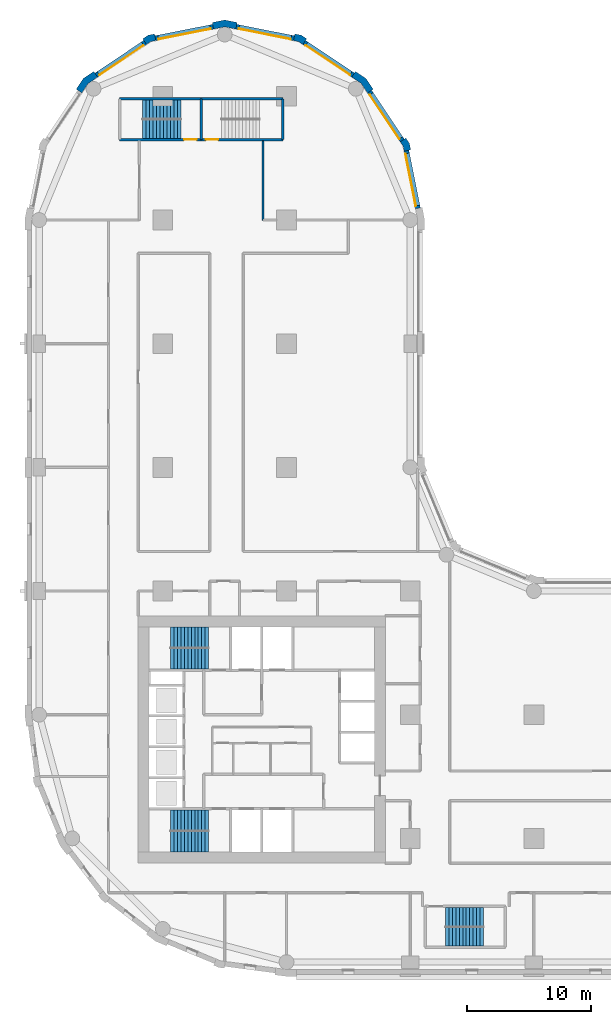
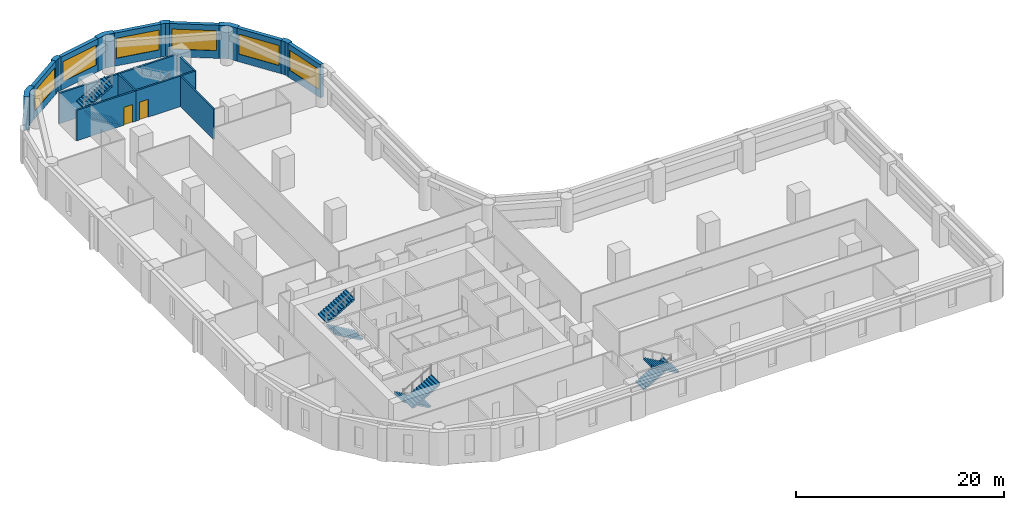
# One storey, part 7 of 10: 19 walls, 8 stair flights, 6 windows, 2 doors, 8 openings, 4 elements without a shape of their own.
"""IFC4 building model written with IfcOpenShell, lengths in metres."""

from ifc_helpers import new_model, si_unit, direction, frame, frame_2d, origin, place, context, subcontext, project, spatial, polyline, rectangle, outline, extrude, material, layer, layer_set, type_object, element, fill, aggregate, save


model = new_model("IFC4")

# Units and contexts
model_context = context("Model", 3, precision=1e-05, world=origin(), true_north=direction((0.0, 1.0)))
body_context = subcontext(model_context, "Body", "Model", "MODEL_VIEW")
ifc_project = project(units=[si_unit("LENGTHUNIT", "METRE"), si_unit("AREAUNIT", "SQUARE_METRE"), si_unit("VOLUMEUNIT", "CUBIC_METRE"), si_unit("PLANEANGLEUNIT", "RADIAN"), si_unit("MASSUNIT", "GRAM", prefix="KILO")], contexts=[model_context])

# Site, building, storey
site_placement = place(None, origin())
site = spatial("IfcSite", under=ifc_project, at=site_placement, CompositionType="ELEMENT")
building_placement = place(site_placement, origin())
building = spatial("IfcBuilding", under=site, at=building_placement, Name="Qaws Garden Tower", CompositionType="ELEMENT")
storey_placement = place(building_placement, frame((0.0, 0.0, 47.10009765625)))
storey = spatial("IfcBuildingStorey", under=building, at=storey_placement, Name="L11", CompositionType="ELEMENT", Elevation=47.10009765625)

# Wall, opening, window
ifc_material_1 = material(Name="Clay facing brick masonry", Category="masonry")
ifc_layer_1 = layer(ifc_material_1, 0.39990234375)
ifc_layer_set_1 = layer_set([ifc_layer_1], Name="Clay facing brick masonry")
wall_type_1 = type_object("IfcWallType", Name="Brick infill wall 400", PredefinedType="SOLIDWALL", material=ifc_layer_set_1)
wall_1_placement = place(storey_placement, frame((30.628662109375, 60.940673828125, 0.0), z_axis=(0.0, 0.0, 1.0), x_axis=(-0.195098533057, 0.98078364709, 0.0)))
wall_1 = element("IfcWall", 1, at=wall_1_placement, inside=storey, type_object=wall_type_1, Name="E-L11-infill-15", PredefinedType="SOLIDWALL", context=body_context, shape_type="SweptSolid", body=[
    extrude(rectangle(XDim=4.752685546875, YDim=0.39990234375, at=frame_2d((2.37646484375, 0.0))), origin(), (0.0, 0.0, 1.0), 3.89990234375),
])
opening_1_placement = place(wall_1_placement, frame((0.226318359375, 0.0, 0.89990234375)))
opening_1 = element("IfcOpeningElement", 2, at=opening_1_placement, cuts=wall_1, Name="Opening W06", PredefinedType="OPENING", context=body_context, shape_type="SweptSolid", body=[
    extrude(rectangle(XDim=4.300048828125, YDim=2.35009765625, at=frame_2d((2.14990234375, 1.175048828125))), frame((0.0, 0.2099609375, 0.0), z_axis=(0.0, -1.0, 0.0), x_axis=(1.0, 0.0, 0.0)), (0.0, 0.0, 1.0), 0.419921875),
])
ifc_material_2 = material(Name="Aluminium framed window, clear glazing", Category="aluminium")
window_type = type_object("IfcWindowType", Name="Ribbon window 4300 x 2350", PartitioningType="DOUBLE_PANEL_VERTICAL", PredefinedType="WINDOW", material=ifc_material_2)
window_1_placement = place(opening_1_placement, origin())
window_1 = element("IfcWindow", 3, at=window_1_placement, inside=storey, type_object=window_type, Name="E-L11-window-15-0", OverallHeight=2.35009765625, OverallWidth=4.300048828125, PartitioningType="SINGLE_PANEL", PredefinedType="WINDOW", context=body_context, shape_type="SweptSolid", body=[
    extrude(rectangle(XDim=4.300048828125, YDim=2.35009765625, at=frame_2d((2.14990234375, 1.175048828125))), frame((0.0, 0.159912109375, 0.0), z_axis=(0.0, -1.0, 0.0), x_axis=(1.0, 0.0, 0.0)), (0.0, 0.0, 1.0), 0.06005859375),
])
fill(opening_1, window_1)

wall_2_placement = place(storey_placement, frame((29.356689453125, 66.43408203125, 0.0), z_axis=(0.0, 0.0, 1.0), x_axis=(-0.555541552266, 0.831488775454, 0.0)))
wall_2 = element("IfcWall", 4, at=wall_2_placement, inside=storey, type_object=wall_type_1, Name="E-L11-infill-16", PredefinedType="SOLIDWALL", context=body_context, shape_type="SweptSolid", body=[
    extrude(rectangle(XDim=4.752685546875, YDim=0.39990234375, at=frame_2d((2.37646484375, 0.0))), origin(), (0.0, 0.0, 1.0), 3.89990234375),
])
opening_2_placement = place(wall_2_placement, frame((0.226318359375, 0.0, 0.89990234375)))
opening_2 = element("IfcOpeningElement", 5, at=opening_2_placement, cuts=wall_2, Name="Opening W06", PredefinedType="OPENING", context=body_context, shape_type="SweptSolid", body=[
    extrude(rectangle(XDim=4.300048828125, YDim=2.35009765625, at=frame_2d((2.14990234375, 1.175048828125))), frame((0.0, 0.2099609375, 0.0), z_axis=(0.0, -1.0, 0.0), x_axis=(1.0, 0.0, 0.0)), (0.0, 0.0, 1.0), 0.419921875),
])
window_2_placement = place(opening_2_placement, origin())
window_2 = element("IfcWindow", 6, at=window_2_placement, inside=storey, type_object=window_type, Name="E-L11-window-16-0", OverallHeight=2.35009765625, OverallWidth=4.300048828125, PartitioningType="SINGLE_PANEL", PredefinedType="WINDOW", context=body_context, shape_type="SweptSolid", body=[
    extrude(rectangle(XDim=4.300048828125, YDim=2.35009765625, at=frame_2d((2.14990234375, 1.175048828125))), frame((0.0, 0.159912109375, 0.0), z_axis=(0.0, -1.0, 0.0), x_axis=(1.0, 0.0, 0.0)), (0.0, 0.0, 1.0), 0.06005859375),
])
fill(opening_2, window_2)

wall_3_placement = place(storey_placement, frame((25.385986328125, 71.71630859375, 0.0), z_axis=(0.0, 0.0, 1.0), x_axis=(-0.831488775454, 0.555541552266, 0.0)))
wall_3 = element("IfcWall", 7, at=wall_3_placement, inside=storey, type_object=wall_type_1, Name="E-L11-infill-17", PredefinedType="SOLIDWALL", context=body_context, shape_type="SweptSolid", body=[
    extrude(rectangle(XDim=4.752685546875, YDim=0.39990234375, at=frame_2d((2.37646484375, 0.0))), origin(), (0.0, 0.0, 1.0), 3.89990234375),
])
opening_3_placement = place(wall_3_placement, frame((0.226318359375, 0.0, 0.89990234375)))
opening_3 = element("IfcOpeningElement", 8, at=opening_3_placement, cuts=wall_3, Name="Opening W06", PredefinedType="OPENING", context=body_context, shape_type="SweptSolid", body=[
    extrude(rectangle(XDim=4.300048828125, YDim=2.35009765625, at=frame_2d((2.14990234375, 1.175048828125))), frame((0.0, 0.2099609375, 0.0), z_axis=(0.0, -1.0, 0.0), x_axis=(1.0, 0.0, 0.0)), (0.0, 0.0, 1.0), 0.419921875),
])
window_3_placement = place(opening_3_placement, origin())
window_3 = element("IfcWindow", 9, at=window_3_placement, inside=storey, type_object=window_type, Name="E-L11-window-17-0", OverallHeight=2.35009765625, OverallWidth=4.300048828125, PartitioningType="SINGLE_PANEL", PredefinedType="WINDOW", context=body_context, shape_type="SweptSolid", body=[
    extrude(rectangle(XDim=4.300048828125, YDim=2.35009765625, at=frame_2d((2.14990234375, 1.175048828125))), frame((0.0, 0.159912109375, 0.0), z_axis=(0.0, -1.0, 0.0), x_axis=(1.0, 0.0, 0.0)), (0.0, 0.0, 1.0), 0.06005859375),
])
fill(opening_3, window_3)

wall_4_placement = place(storey_placement, frame((20.60205078125, 74.701416015625, 0.0), z_axis=(0.0, 0.0, 1.0), x_axis=(-0.98078364709, 0.195098533057, 0.0)))
wall_4 = element("IfcWall", 10, at=wall_4_placement, inside=storey, type_object=wall_type_1, Name="E-L11-infill-18", PredefinedType="SOLIDWALL", context=body_context, shape_type="SweptSolid", body=[
    extrude(rectangle(XDim=4.752685546875, YDim=0.39990234375, at=frame_2d((2.37646484375, 0.0))), origin(), (0.0, 0.0, 1.0), 3.89990234375),
])
opening_4_placement = place(wall_4_placement, frame((0.226318359375, 0.0, 0.89990234375)))
opening_4 = element("IfcOpeningElement", 11, at=opening_4_placement, cuts=wall_4, Name="Opening W06", PredefinedType="OPENING", context=body_context, shape_type="SweptSolid", body=[
    extrude(rectangle(XDim=4.300048828125, YDim=2.35009765625, at=frame_2d((2.14990234375, 1.175048828125))), frame((0.0, 0.2099609375, 0.0), z_axis=(0.0, -1.0, 0.0), x_axis=(1.0, 0.0, 0.0)), (0.0, 0.0, 1.0), 0.419921875),
])
window_4_placement = place(opening_4_placement, origin())
window_4 = element("IfcWindow", 12, at=window_4_placement, inside=storey, type_object=window_type, Name="E-L11-window-18-0", OverallHeight=2.35009765625, OverallWidth=4.300048828125, PartitioningType="SINGLE_PANEL", PredefinedType="WINDOW", context=body_context, shape_type="SweptSolid", body=[
    extrude(rectangle(XDim=4.300048828125, YDim=2.35009765625, at=frame_2d((2.14990234375, 1.175048828125))), frame((0.0, 0.159912109375, 0.0), z_axis=(0.0, -1.0, 0.0), x_axis=(1.0, 0.0, 0.0)), (0.0, 0.0, 1.0), 0.06005859375),
])
fill(opening_4, window_4)

wall_5_placement = place(storey_placement, frame((14.059326171875, 75.628662109375, 0.0), z_axis=(0.0, 0.0, 1.0), x_axis=(-0.98078364709, -0.195098533057, 0.0)))
wall_5 = element("IfcWall", 13, at=wall_5_placement, inside=storey, type_object=wall_type_1, Name="E-L11-infill-19", PredefinedType="SOLIDWALL", context=body_context, shape_type="SweptSolid", body=[
    extrude(rectangle(XDim=4.752685546875, YDim=0.39990234375, at=frame_2d((2.37646484375, 0.0))), origin(), (0.0, 0.0, 1.0), 3.89990234375),
])
opening_5_placement = place(wall_5_placement, frame((0.226318359375, 0.0, 0.89990234375)))
opening_5 = element("IfcOpeningElement", 14, at=opening_5_placement, cuts=wall_5, Name="Opening W06", PredefinedType="OPENING", context=body_context, shape_type="SweptSolid", body=[
    extrude(rectangle(XDim=4.300048828125, YDim=2.35009765625, at=frame_2d((2.14990234375, 1.175048828125))), frame((0.0, 0.2099609375, 0.0), z_axis=(0.0, -1.0, 0.0), x_axis=(1.0, 0.0, 0.0)), (0.0, 0.0, 1.0), 0.419921875),
])
window_5_placement = place(opening_5_placement, origin())
window_5 = element("IfcWindow", 15, at=window_5_placement, inside=storey, type_object=window_type, Name="E-L11-window-19-0", OverallHeight=2.35009765625, OverallWidth=4.300048828125, PartitioningType="SINGLE_PANEL", PredefinedType="WINDOW", context=body_context, shape_type="SweptSolid", body=[
    extrude(rectangle(XDim=4.300048828125, YDim=2.35009765625, at=frame_2d((2.14990234375, 1.175048828125))), frame((0.0, 0.159912109375, 0.0), z_axis=(0.0, -1.0, 0.0), x_axis=(1.0, 0.0, 0.0)), (0.0, 0.0, 1.0), 0.06005859375),
])
fill(opening_5, window_5)

wall_6_placement = place(storey_placement, frame((8.56591796875, 74.356689453125, 0.0), z_axis=(0.0, 0.0, 1.0), x_axis=(-0.831488775454, -0.555541552266, 0.0)))
wall_6 = element("IfcWall", 16, at=wall_6_placement, inside=storey, type_object=wall_type_1, Name="E-L11-infill-20", PredefinedType="SOLIDWALL", context=body_context, shape_type="SweptSolid", body=[
    extrude(rectangle(XDim=4.752685546875, YDim=0.39990234375, at=frame_2d((2.37646484375, 0.0))), origin(), (0.0, 0.0, 1.0), 3.89990234375),
])
opening_6_placement = place(wall_6_placement, frame((0.226318359375, 0.0, 0.89990234375)))
opening_6 = element("IfcOpeningElement", 17, at=opening_6_placement, cuts=wall_6, Name="Opening W06", PredefinedType="OPENING", context=body_context, shape_type="SweptSolid", body=[
    extrude(rectangle(XDim=4.300048828125, YDim=2.35009765625, at=frame_2d((2.14990234375, 1.175048828125))), frame((0.0, 0.2099609375, 0.0), z_axis=(0.0, -1.0, 0.0), x_axis=(1.0, 0.0, 0.0)), (0.0, 0.0, 1.0), 0.419921875),
])
window_6_placement = place(opening_6_placement, origin())
window_6 = element("IfcWindow", 18, at=window_6_placement, inside=storey, type_object=window_type, Name="E-L11-window-20-0", OverallHeight=2.35009765625, OverallWidth=4.300048828125, PartitioningType="SINGLE_PANEL", PredefinedType="WINDOW", context=body_context, shape_type="SweptSolid", body=[
    extrude(rectangle(XDim=4.300048828125, YDim=2.35009765625, at=frame_2d((2.14990234375, 1.175048828125))), frame((0.0, 0.159912109375, 0.0), z_axis=(0.0, -1.0, 0.0), x_axis=(1.0, 0.0, 0.0)), (0.0, 0.0, 1.0), 0.06005859375),
])
fill(opening_6, window_6)

# Walls
ifc_material_3 = material(Name="Clay facing brick masonry", Category="masonry")
ifc_layer_2 = layer(ifc_material_3, 0.550048828125)
ifc_layer_set_2 = layer_set([ifc_layer_2], Name="Clay facing brick masonry")
wall_type_2 = type_object("IfcWallType", Name="Brick kink pier 550 x 600", PredefinedType="SOLIDWALL", material=ifc_layer_set_2)
placement = place(storey_placement, origin())
element("IfcWall", 19, at=placement, inside=storey, type_object=wall_type_2, Name="E-L11-pier-16", PredefinedType="SOLIDWALL", context=body_context, shape_type="SweptSolid", body=[
    extrude(outline(polyline([(29.8974609375, 65.64111328125), (30.044677734375, 65.67041015625), (29.94140625, 66.18896484375), (29.647705078125, 66.628662109375), (29.52294921875, 66.545166015625), (29.1904296875, 66.322998046875), (29.42333984375, 65.974365234375), (29.505126953125, 65.56298828125), (29.8974609375, 65.64111328125)])), origin(), (0.0, 0.0, 1.0), 3.89990234375),
])
element("IfcWall", 20, at=placement, inside=storey, type_object=wall_type_2, Name="E-L11-pier-18", PredefinedType="SOLIDWALL", context=body_context, shape_type="SweptSolid", body=[
    extrude(outline(polyline([(21.545166015625, 74.52294921875), (21.628662109375, 74.647705078125), (21.18896484375, 74.94140625), (20.67041015625, 75.044677734375), (20.64111328125, 74.8974609375), (20.56298828125, 74.505126953125), (20.974365234375, 74.42333984375), (21.322998046875, 74.1904296875), (21.545166015625, 74.52294921875)])), origin(), (0.0, 0.0, 1.0), 3.89990234375),
])
element("IfcWall", 21, at=placement, inside=storey, type_object=wall_type_2, Name="E-L11-pier-20", PredefinedType="SOLIDWALL", context=body_context, shape_type="SweptSolid", body=[
    extrude(outline(polyline([(9.35888671875, 74.8974609375), (9.32958984375, 75.044677734375), (8.81103515625, 74.94140625), (8.371337890625, 74.647705078125), (8.454833984375, 74.52294921875), (8.677001953125, 74.1904296875), (9.025634765625, 74.42333984375), (9.43701171875, 74.505126953125), (9.35888671875, 74.8974609375)])), origin(), (0.0, 0.0, 1.0), 3.89990234375),
])
ifc_material_4 = material(Name="Clay facing brick masonry", Category="masonry")
ifc_layer_3 = layer(ifc_material_4, 0.550048828125)
ifc_layer_set_3 = layer_set([ifc_layer_3], Name="Clay facing brick masonry")
wall_type_3 = type_object("IfcWallType", Name="Brick pier 550 x 1600", PredefinedType="SOLIDWALL", material=ifc_layer_set_3)
element("IfcWall", 22, at=placement, inside=storey, type_object=wall_type_3, Name="E-L11-pier-17", PredefinedType="SOLIDWALL", context=body_context, shape_type="SweptSolid", body=[
    extrude(outline(polyline([(26.882568359375, 70.4970703125), (27.00732421875, 70.580322265625), (26.435791015625, 71.435791015625), (25.580322265625, 72.00732421875), (25.4970703125, 71.882568359375), (25.274658203125, 71.550048828125), (26.0390625, 71.0390625), (26.550048828125, 70.274658203125), (26.882568359375, 70.4970703125)])), origin(), (0.0, 0.0, 1.0), 3.89990234375),
])
element("IfcWall", 23, at=placement, inside=storey, type_object=wall_type_3, Name="E-L11-pier-19", PredefinedType="SOLIDWALL", context=body_context, shape_type="SweptSolid", body=[
    extrude(outline(polyline([(15.979736328125, 75.82470703125), (16.009033203125, 75.971923828125), (15.0, 76.172607421875), (13.990966796875, 75.971923828125), (14.020263671875, 75.82470703125), (14.098388671875, 75.432373046875), (15.0, 75.61181640625), (15.901611328125, 75.432373046875), (15.979736328125, 75.82470703125)])), origin(), (0.0, 0.0, 1.0), 3.89990234375),
])
element("IfcWall", 24, at=placement, inside=storey, type_object=wall_type_3, Name="E-L11-pier-21", PredefinedType="SOLIDWALL", context=body_context, shape_type="SweptSolid", body=[
    extrude(outline(polyline([(4.5029296875, 71.882568359375), (4.419677734375, 72.00732421875), (3.564208984375, 71.435791015625), (2.99267578125, 70.580322265625), (3.117431640625, 70.4970703125), (3.449951171875, 70.274658203125), (3.9609375, 71.0390625), (4.725341796875, 71.550048828125), (4.5029296875, 71.882568359375)])), origin(), (0.0, 0.0, 1.0), 3.89990234375),
])

# Wall, opening, door
ifc_material_5 = material(Name="Concrete C80", Category="concrete")
ifc_layer_4 = layer(ifc_material_5, 0.199951171875)
ifc_layer_set_4 = layer_set([ifc_layer_4], Name="Concrete C80")
wall_type_4 = type_object("IfcWallType", Name="Core shaft wall 200 C80", PredefinedType="SHEAR", material=ifc_layer_set_4)
wall_13_placement = place(storey_placement, frame((6.5, 66.5, 0.0), z_axis=(0.0, 0.0, 1.0), x_axis=(1.0, 0.0, 0.0)))
wall_13 = element("IfcWall", 25, at=wall_13_placement, inside=storey, type_object=wall_type_4, Name="Shaft wall", PredefinedType="SHEAR", context=body_context, shape_type="SweptSolid", body=[
    extrude(rectangle(XDim=6.60009765625, YDim=0.199951171875, at=frame_2d((3.300048828125, 0.0))), origin(), (0.0, 0.0, 1.0), 3.579833984375),
])
opening_7_placement = place(wall_13_placement, frame((5.22509765625, 0.0, 0.0)))
opening_7 = element("IfcOpeningElement", 26, at=opening_7_placement, cuts=wall_13, Name="Opening SD13", PredefinedType="OPENING", context=body_context, shape_type="SweptSolid", body=[
    extrude(rectangle(XDim=1.0, YDim=2.10009765625, at=frame_2d((0.5, 1.050048828125))), frame((0.0, 0.10986328125, 0.0), z_axis=(0.0, -1.0, 0.0), x_axis=(1.0, 0.0, 0.0)), (0.0, 0.0, 1.0), 0.219970703125),
])
ifc_material_6 = material(Name="Steel S235", Category="steel")
door_type = type_object("IfcDoorType", Name="Stair door 1000x2100", OperationType="SINGLE_SWING_RIGHT", PredefinedType="DOOR", material=ifc_material_6)
door_1_placement = place(opening_7_placement, origin())
door_1 = element("IfcDoor", 27, at=door_1_placement, inside=storey, type_object=door_type, Name="Stair 6 door", OperationType="SINGLE_SWING_RIGHT", OverallHeight=2.10009765625, OverallWidth=1.0, PredefinedType="DOOR", context=body_context, shape_type="SweptSolid", body=[
    extrude(rectangle(XDim=1.0, YDim=2.10009765625, at=frame_2d((0.5, 1.050048828125))), frame((0.0, 0.02490234375, 0.0), z_axis=(0.0, -1.0, 0.0), x_axis=(1.0, 0.0, 0.0)), (0.0, 0.0, 1.0), 0.050048828125),
])
fill(opening_7, door_1)

wall_14_placement = place(storey_placement, frame((13.10009765625, 66.5, 0.0), z_axis=(0.0, 0.0, 1.0), x_axis=(1.0, 0.0, 0.0)))
wall_14 = element("IfcWall", 28, at=wall_14_placement, inside=storey, type_object=wall_type_4, Name="Shaft wall", PredefinedType="SHEAR", context=body_context, shape_type="SweptSolid", body=[
    extrude(rectangle(XDim=6.599853515625, YDim=0.199951171875, at=frame_2d((3.2998046875, 0.0))), origin(), (0.0, 0.0, 1.0), 3.579833984375),
])
opening_8_placement = place(wall_14_placement, frame((0.375, 0.0, 0.0)))
opening_8 = element("IfcOpeningElement", 29, at=opening_8_placement, cuts=wall_14, Name="Opening SD14", PredefinedType="OPENING", context=body_context, shape_type="SweptSolid", body=[
    extrude(rectangle(XDim=1.0, YDim=2.10009765625, at=frame_2d((0.5, 1.050048828125))), frame((0.0, 0.10986328125, 0.0), z_axis=(0.0, -1.0, 0.0), x_axis=(1.0, 0.0, 0.0)), (0.0, 0.0, 1.0), 0.219970703125),
])
door_2_placement = place(opening_8_placement, origin())
door_2 = element("IfcDoor", 30, at=door_2_placement, inside=storey, type_object=door_type, Name="Stair 7 door", OperationType="SINGLE_SWING_LEFT", OverallHeight=2.10009765625, OverallWidth=1.0, PredefinedType="DOOR", context=body_context, shape_type="SweptSolid", body=[
    extrude(rectangle(XDim=1.0, YDim=2.10009765625, at=frame_2d((0.5, 1.050048828125))), frame((0.0, 0.02490234375, 0.0), z_axis=(0.0, -1.0, 0.0), x_axis=(1.0, 0.0, 0.0)), (0.0, 0.0, 1.0), 0.050048828125),
])
fill(opening_8, door_2)

# Walls
wall_15_placement = place(storey_placement, frame((6.5, 69.800048828125, 0.0), z_axis=(0.0, 0.0, 1.0), x_axis=(1.0, 0.0, 0.0)))
element("IfcWall", 31, at=wall_15_placement, inside=storey, type_object=wall_type_4, Name="Shaft wall", PredefinedType="SHEAR", context=body_context, shape_type="SweptSolid", body=[
    extrude(rectangle(XDim=6.60009765625, YDim=0.199951171875, at=frame_2d((3.300048828125, 0.0))), origin(), (0.0, 0.0, 1.0), 3.579833984375),
])
wall_16_placement = place(storey_placement, frame((13.10009765625, 69.800048828125, 0.0), z_axis=(0.0, 0.0, 1.0), x_axis=(1.0, 0.0, 0.0)))
element("IfcWall", 32, at=wall_16_placement, inside=storey, type_object=wall_type_4, Name="Shaft wall", PredefinedType="SHEAR", context=body_context, shape_type="SweptSolid", body=[
    extrude(rectangle(XDim=6.599853515625, YDim=0.199951171875, at=frame_2d((3.2998046875, 0.0))), origin(), (0.0, 0.0, 1.0), 3.579833984375),
])
for number, where, z_axis, x_axis, name in (
    (33, (13.10009765625, 66.5, 0.0), (0.0, 0.0, 1.0), (0.0, 1.0, 0.0), "Shaft wall"),
    (34, (19.699951171875, 66.5, 0.0), (0.0, 0.0, 1.0), (0.0, 1.0, 0.0), "Shaft wall"),
):
    element("IfcWall", number, at=place(storey_placement, frame(where, z_axis=z_axis, x_axis=x_axis)), inside=storey, type_object=wall_type_4, Name=name, PredefinedType="SHEAR", context=body_context, shape_type="SweptSolid", body=[
        extrude(rectangle(XDim=3.300048828125, YDim=0.199951171875, at=frame_2d((1.64990234375, 0.0))), origin(), (0.0, 0.0, 1.0), 3.579833984375),
    ])
ifc_material_7 = material(Name="Gypsum board partition")
ifc_layer_5 = layer(ifc_material_7, 0.14990234375)
ifc_layer_set_5 = layer_set([ifc_layer_5], Name="Gypsum board partition")
wall_type_5 = type_object("IfcWallType", Name="PARTITION 150 EI 60", PredefinedType="PARTITIONING", material=ifc_layer_set_5)
wall_17_placement = place(storey_placement, frame((18.10009765625, 60.0, 0.0), z_axis=(0.0, 0.0, 1.0), x_axis=(0.0, 1.0, 0.0)))
element("IfcWall", 35, at=wall_17_placement, inside=storey, type_object=wall_type_5, Name="O-L11-wall-010", PredefinedType="PARTITIONING", context=body_context, shape_type="SweptSolid", body=[
    extrude(rectangle(XDim=6.39990234375, YDim=0.14990234375, at=frame_2d((3.199951171875, 0.0))), origin(), (0.0, 0.0, 1.0), 3.579833984375),
])

# Stair, stair flights
ifc_material_8 = material(Name="Concrete C40", Category="concrete")
stair_type_1 = type_object("IfcStairType", Name="Exit stair 1350", PredefinedType="HALF_TURN_STAIR", material=ifc_material_8)
stair_1 = element("IfcStair", 36, at=placement, inside=storey, type_object=stair_type_1, Name="Stair 5", PredefinedType="HALF_TURN_STAIR")
ifc_material_9 = material(Name="Concrete C40", Category="concrete")
stair_flight_type_1 = type_object("IfcStairFlightType", Name="Stair flight 1350", PredefinedType="STRAIGHT", material=ifc_material_9)
stair_flight_1_placement = place(storey_placement, frame((32.85009765625, 3.625, 0.0), z_axis=(0.0, 0.0, 1.0), x_axis=(1.0, 0.0, 0.0)))
stair_flight_1 = element("IfcStairFlight", 37, at=stair_flight_1_placement, type_object=stair_flight_type_1, Name="ST5 flight 1", NumberOfRisers=12, NumberOfTreads=11, PredefinedType="STRAIGHT", RiserHeight=0.1625, TreadLength=0.28, context=body_context, shape_type="SweptSolid", body=[
    extrude(outline(polyline([(-0.0029296875, 0.0), (-0.0029296875, 0.16259765625), (0.0, 0.16259765625), (0.280029296875, 0.16259765625), (0.280029296875, 0.324951171875), (0.56005859375, 0.324951171875), (0.56005859375, 0.487548828125), (0.840087890625, 0.487548828125), (0.840087890625, 0.64990234375), (1.1201171875, 0.64990234375), (1.1201171875, 0.8125), (1.39990234375, 0.8125), (1.39990234375, 0.97509765625), (1.679931640625, 0.97509765625), (1.679931640625, 1.137451171875), (1.9599609375, 1.137451171875), (1.9599609375, 1.300048828125), (2.239990234375, 1.300048828125), (2.239990234375, 1.46240234375), (2.52001953125, 1.46240234375), (2.52001953125, 1.625), (2.800048828125, 1.625), (2.800048828125, 1.78759765625), (3.080078125, 1.78759765625), (3.080078125, 1.949951171875), (3.0830078125, 1.949951171875), (3.0830078125, 1.6142578125), (3.080078125, 1.6142578125), (0.298583984375, 0.0), (-0.0029296875, 0.0)])), frame((0.0, 0.77490234375, 0.0), z_axis=(0.0, -1.0, 0.0), x_axis=(1.0, 0.0, 0.0)), (0.0, 0.0, 1.0), 1.550048828125),
])
stair_flight_2_placement = place(storey_placement, frame((35.929931640625, 2.074951171875, 1.949951171875), z_axis=(0.0, 0.0, 1.0), x_axis=(-1.0, 0.0, 0.0)))
stair_flight_2 = element("IfcStairFlight", 38, at=stair_flight_2_placement, type_object=stair_flight_type_1, Name="ST5 flight 2", NumberOfRisers=12, NumberOfTreads=11, PredefinedType="STRAIGHT", RiserHeight=0.1625, TreadLength=0.28, context=body_context, shape_type="SweptSolid", body=[
    extrude(outline(polyline([(-0.0029296875, 0.0), (-0.0029296875, 0.16259765625), (0.0, 0.16259765625), (0.280029296875, 0.16259765625), (0.280029296875, 0.324951171875), (0.56005859375, 0.324951171875), (0.56005859375, 0.487548828125), (0.840087890625, 0.487548828125), (0.840087890625, 0.64990234375), (1.1201171875, 0.64990234375), (1.1201171875, 0.8125), (1.39990234375, 0.8125), (1.39990234375, 0.97509765625), (1.679931640625, 0.97509765625), (1.679931640625, 1.137451171875), (1.9599609375, 1.137451171875), (1.9599609375, 1.300048828125), (2.239990234375, 1.300048828125), (2.239990234375, 1.46240234375), (2.52001953125, 1.46240234375), (2.52001953125, 1.625), (2.800048828125, 1.625), (2.800048828125, 1.78759765625), (3.080078125, 1.78759765625), (3.080078125, 1.949951171875), (3.0830078125, 1.949951171875), (3.0830078125, 1.6142578125), (3.080078125, 1.6142578125), (0.298583984375, 0.0), (-0.0029296875, 0.0)])), frame((0.0, 0.77490234375, 0.0), z_axis=(0.0, -1.0, 0.0), x_axis=(1.0, 0.0, 0.0)), (0.0, 0.0, 1.0), 1.550048828125),
])
aggregate(stair_1, [stair_flight_1, stair_flight_2])

stair_2 = element("IfcStair", 39, at=placement, inside=storey, type_object=stair_type_1, Name="Stair 6", PredefinedType="HALF_TURN_STAIR")
stair_flight_3_placement = place(storey_placement, frame((11.449951171875, 67.375, 0.0), z_axis=(0.0, 0.0, 1.0), x_axis=(-1.0, 0.0, 0.0)))
stair_flight_3 = element("IfcStairFlight", 40, at=stair_flight_3_placement, type_object=stair_flight_type_1, Name="ST6 flight 1", NumberOfRisers=12, NumberOfTreads=11, PredefinedType="STRAIGHT", RiserHeight=0.1625, TreadLength=0.28, context=body_context, shape_type="SweptSolid", body=[
    extrude(outline(polyline([(-0.0029296875, 0.0), (-0.0029296875, 0.16259765625), (0.0, 0.16259765625), (0.280029296875, 0.16259765625), (0.280029296875, 0.324951171875), (0.56005859375, 0.324951171875), (0.56005859375, 0.487548828125), (0.840087890625, 0.487548828125), (0.840087890625, 0.64990234375), (1.1201171875, 0.64990234375), (1.1201171875, 0.8125), (1.39990234375, 0.8125), (1.39990234375, 0.97509765625), (1.679931640625, 0.97509765625), (1.679931640625, 1.137451171875), (1.9599609375, 1.137451171875), (1.9599609375, 1.300048828125), (2.239990234375, 1.300048828125), (2.239990234375, 1.46240234375), (2.52001953125, 1.46240234375), (2.52001953125, 1.625), (2.800048828125, 1.625), (2.800048828125, 1.78759765625), (3.080078125, 1.78759765625), (3.080078125, 1.949951171875), (3.0830078125, 1.949951171875), (3.0830078125, 1.6142578125), (3.080078125, 1.6142578125), (0.298583984375, 0.0), (-0.0029296875, 0.0)])), frame((0.0, 0.77490234375, 0.0), z_axis=(0.0, -1.0, 0.0), x_axis=(1.0, 0.0, 0.0)), (0.0, 0.0, 1.0), 1.550048828125),
])
stair_flight_4_placement = place(storey_placement, frame((8.3701171875, 68.925048828125, 1.949951171875), z_axis=(0.0, 0.0, 1.0), x_axis=(1.0, 0.0, 0.0)))
stair_flight_4 = element("IfcStairFlight", 41, at=stair_flight_4_placement, type_object=stair_flight_type_1, Name="ST6 flight 2", NumberOfRisers=12, NumberOfTreads=11, PredefinedType="STRAIGHT", RiserHeight=0.1625, TreadLength=0.28, context=body_context, shape_type="SweptSolid", body=[
    extrude(outline(polyline([(-0.0029296875, 0.0), (-0.0029296875, 0.16259765625), (0.0, 0.16259765625), (0.280029296875, 0.16259765625), (0.280029296875, 0.324951171875), (0.56005859375, 0.324951171875), (0.56005859375, 0.487548828125), (0.840087890625, 0.487548828125), (0.840087890625, 0.64990234375), (1.1201171875, 0.64990234375), (1.1201171875, 0.8125), (1.39990234375, 0.8125), (1.39990234375, 0.97509765625), (1.679931640625, 0.97509765625), (1.679931640625, 1.137451171875), (1.9599609375, 1.137451171875), (1.9599609375, 1.300048828125), (2.239990234375, 1.300048828125), (2.239990234375, 1.46240234375), (2.52001953125, 1.46240234375), (2.52001953125, 1.625), (2.800048828125, 1.625), (2.800048828125, 1.78759765625), (3.080078125, 1.78759765625), (3.080078125, 1.949951171875), (3.0830078125, 1.949951171875), (3.0830078125, 1.6142578125), (3.080078125, 1.6142578125), (0.298583984375, 0.0), (-0.0029296875, 0.0)])), frame((0.0, 0.77490234375, 0.0), z_axis=(0.0, -1.0, 0.0), x_axis=(1.0, 0.0, 0.0)), (0.0, 0.0, 1.0), 1.550048828125),
])
aggregate(stair_2, [stair_flight_3, stair_flight_4])

ifc_material_10 = material(Name="Concrete C40", Category="concrete")
stair_type_2 = type_object("IfcStairType", Name="Exit stair 1500", PredefinedType="HALF_TURN_STAIR", material=ifc_material_10)
stair_3 = element("IfcStair", 42, at=placement, inside=storey, type_object=stair_type_2, Name="Stair 1", PredefinedType="HALF_TURN_STAIR")
ifc_material_11 = material(Name="Concrete C40", Category="concrete")
stair_flight_type_2 = type_object("IfcStairFlightType", Name="Stair flight 1500", PredefinedType="STRAIGHT", material=ifc_material_11)
stair_flight_5_placement = place(storey_placement, frame((13.699951171875, 11.449951171875, 0.0), z_axis=(0.0, 0.0, 1.0), x_axis=(-1.0, 0.0, 0.0)))
stair_flight_5 = element("IfcStairFlight", 43, at=stair_flight_5_placement, type_object=stair_flight_type_2, Name="ST1 flight 1", NumberOfRisers=12, NumberOfTreads=11, PredefinedType="STRAIGHT", RiserHeight=0.1625, TreadLength=0.28, context=body_context, shape_type="SweptSolid", body=[
    extrude(outline(polyline([(-0.0029296875, 0.0), (-0.0029296875, 0.16259765625), (0.0, 0.16259765625), (0.280029296875, 0.16259765625), (0.280029296875, 0.324951171875), (0.56005859375, 0.324951171875), (0.56005859375, 0.487548828125), (0.840087890625, 0.487548828125), (0.840087890625, 0.64990234375), (1.1201171875, 0.64990234375), (1.1201171875, 0.8125), (1.39990234375, 0.8125), (1.39990234375, 0.97509765625), (1.679931640625, 0.97509765625), (1.679931640625, 1.137451171875), (1.9599609375, 1.137451171875), (1.9599609375, 1.300048828125), (2.239990234375, 1.300048828125), (2.239990234375, 1.46240234375), (2.52001953125, 1.46240234375), (2.52001953125, 1.625), (2.800048828125, 1.625), (2.800048828125, 1.78759765625), (3.080078125, 1.78759765625), (3.080078125, 1.949951171875), (3.0830078125, 1.949951171875), (3.0830078125, 1.6142578125), (3.080078125, 1.6142578125), (0.298583984375, 0.0), (-0.0029296875, 0.0)])), frame((0.0, 0.85009765625, 0.0), z_axis=(0.0, -1.0, 0.0), x_axis=(1.0, 0.0, 0.0)), (0.0, 0.0, 1.0), 1.699951171875),
])
stair_flight_6_placement = place(storey_placement, frame((10.6201171875, 9.75, 1.949951171875), z_axis=(0.0, 0.0, 1.0), x_axis=(1.0, 0.0, 0.0)))
stair_flight_6 = element("IfcStairFlight", 44, at=stair_flight_6_placement, type_object=stair_flight_type_2, Name="ST1 flight 2", NumberOfRisers=12, NumberOfTreads=11, PredefinedType="STRAIGHT", RiserHeight=0.1625, TreadLength=0.28, context=body_context, shape_type="SweptSolid", body=[
    extrude(outline(polyline([(-0.0029296875, 0.0), (-0.0029296875, 0.16259765625), (0.0, 0.16259765625), (0.280029296875, 0.16259765625), (0.280029296875, 0.324951171875), (0.56005859375, 0.324951171875), (0.56005859375, 0.487548828125), (0.840087890625, 0.487548828125), (0.840087890625, 0.64990234375), (1.1201171875, 0.64990234375), (1.1201171875, 0.8125), (1.39990234375, 0.8125), (1.39990234375, 0.97509765625), (1.679931640625, 0.97509765625), (1.679931640625, 1.137451171875), (1.9599609375, 1.137451171875), (1.9599609375, 1.300048828125), (2.239990234375, 1.300048828125), (2.239990234375, 1.46240234375), (2.52001953125, 1.46240234375), (2.52001953125, 1.625), (2.800048828125, 1.625), (2.800048828125, 1.78759765625), (3.080078125, 1.78759765625), (3.080078125, 1.949951171875), (3.0830078125, 1.949951171875), (3.0830078125, 1.6142578125), (3.080078125, 1.6142578125), (0.298583984375, 0.0), (-0.0029296875, 0.0)])), frame((0.0, 0.85009765625, 0.0), z_axis=(0.0, -1.0, 0.0), x_axis=(1.0, 0.0, 0.0)), (0.0, 0.0, 1.0), 1.699951171875),
])
aggregate(stair_3, [stair_flight_5, stair_flight_6])

stair_4 = element("IfcStair", 45, at=placement, inside=storey, type_object=stair_type_2, Name="Stair 4", PredefinedType="HALF_TURN_STAIR")
stair_flight_7_placement = place(storey_placement, frame((13.699951171875, 24.550048828125, 0.0), z_axis=(0.0, 0.0, 1.0), x_axis=(-1.0, 0.0, 0.0)))
stair_flight_7 = element("IfcStairFlight", 46, at=stair_flight_7_placement, type_object=stair_flight_type_2, Name="ST4 flight 1", NumberOfRisers=12, NumberOfTreads=11, PredefinedType="STRAIGHT", RiserHeight=0.1625, TreadLength=0.28, context=body_context, shape_type="SweptSolid", body=[
    extrude(outline(polyline([(-0.0029296875, 0.0), (-0.0029296875, 0.16259765625), (0.0, 0.16259765625), (0.280029296875, 0.16259765625), (0.280029296875, 0.324951171875), (0.56005859375, 0.324951171875), (0.56005859375, 0.487548828125), (0.840087890625, 0.487548828125), (0.840087890625, 0.64990234375), (1.1201171875, 0.64990234375), (1.1201171875, 0.8125), (1.39990234375, 0.8125), (1.39990234375, 0.97509765625), (1.679931640625, 0.97509765625), (1.679931640625, 1.137451171875), (1.9599609375, 1.137451171875), (1.9599609375, 1.300048828125), (2.239990234375, 1.300048828125), (2.239990234375, 1.46240234375), (2.52001953125, 1.46240234375), (2.52001953125, 1.625), (2.800048828125, 1.625), (2.800048828125, 1.78759765625), (3.080078125, 1.78759765625), (3.080078125, 1.949951171875), (3.0830078125, 1.949951171875), (3.0830078125, 1.6142578125), (3.080078125, 1.6142578125), (0.298583984375, 0.0), (-0.0029296875, 0.0)])), frame((0.0, 0.844970703125, 0.0), z_axis=(0.0, -1.0, 0.0), x_axis=(1.0, 0.0, 0.0)), (0.0, 0.0, 1.0), 1.68994140625),
])
stair_flight_8_placement = place(storey_placement, frame((10.6201171875, 26.25, 1.949951171875), z_axis=(0.0, 0.0, 1.0), x_axis=(1.0, 0.0, 0.0)))
stair_flight_8 = element("IfcStairFlight", 47, at=stair_flight_8_placement, type_object=stair_flight_type_2, Name="ST4 flight 2", NumberOfRisers=12, NumberOfTreads=11, PredefinedType="STRAIGHT", RiserHeight=0.1625, TreadLength=0.28, context=body_context, shape_type="SweptSolid", body=[
    extrude(outline(polyline([(-0.0029296875, 0.0), (-0.0029296875, 0.16259765625), (0.0, 0.16259765625), (0.280029296875, 0.16259765625), (0.280029296875, 0.324951171875), (0.56005859375, 0.324951171875), (0.56005859375, 0.487548828125), (0.840087890625, 0.487548828125), (0.840087890625, 0.64990234375), (1.1201171875, 0.64990234375), (1.1201171875, 0.8125), (1.39990234375, 0.8125), (1.39990234375, 0.97509765625), (1.679931640625, 0.97509765625), (1.679931640625, 1.137451171875), (1.9599609375, 1.137451171875), (1.9599609375, 1.300048828125), (2.239990234375, 1.300048828125), (2.239990234375, 1.46240234375), (2.52001953125, 1.46240234375), (2.52001953125, 1.625), (2.800048828125, 1.625), (2.800048828125, 1.78759765625), (3.080078125, 1.78759765625), (3.080078125, 1.949951171875), (3.0830078125, 1.949951171875), (3.0830078125, 1.6142578125), (3.080078125, 1.6142578125), (0.298583984375, 0.0), (-0.0029296875, 0.0)])), frame((0.0, 0.844970703125, 0.0), z_axis=(0.0, -1.0, 0.0), x_axis=(1.0, 0.0, 0.0)), (0.0, 0.0, 1.0), 1.68994140625),
])
aggregate(stair_4, [stair_flight_7, stair_flight_8])

save(model, "model.ifc")
